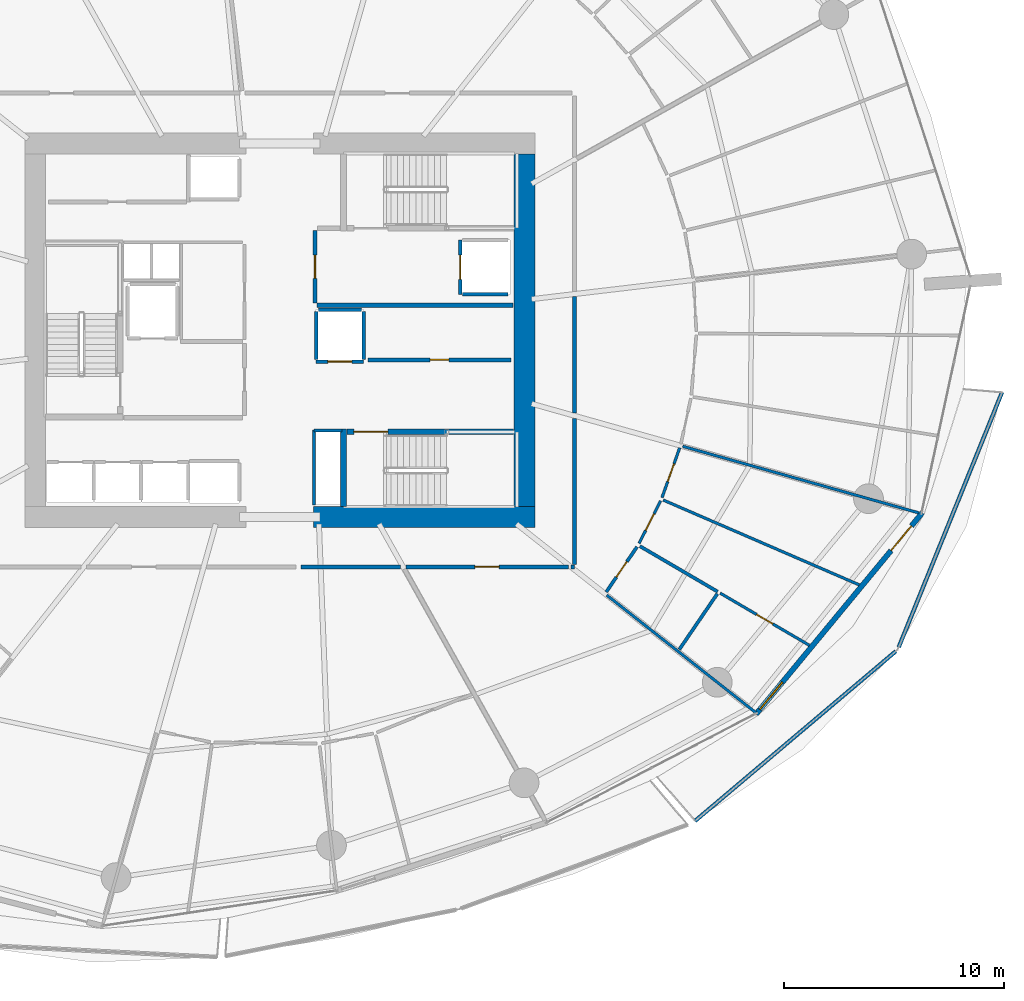
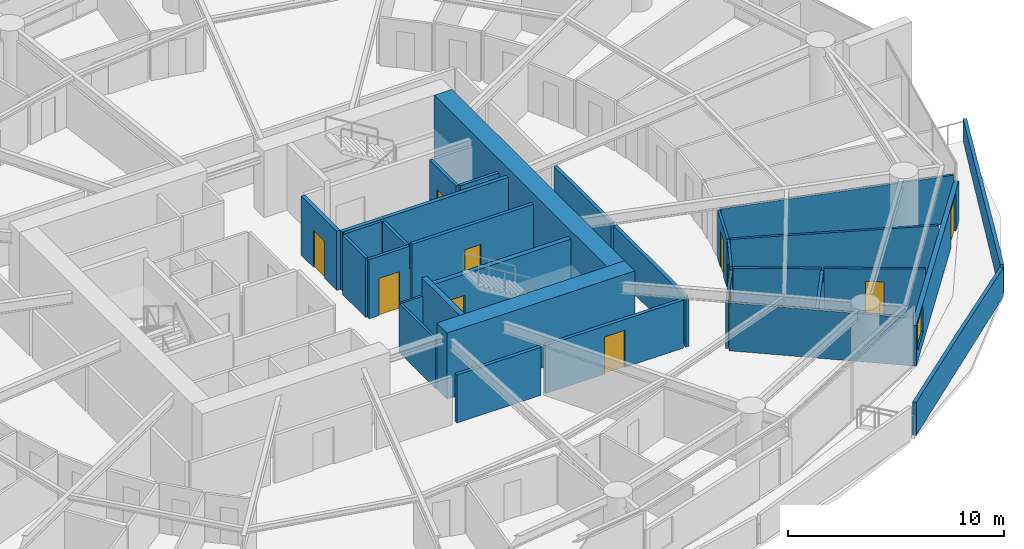
# One storey, part 21 of 31: 32 walls, 11 doors, 1 window, 12 openings.
"""IFC4 building model written with IfcOpenShell, lengths in metres."""

from ifc_helpers import new_model, si_unit, direction, frame, frame_2d, origin, place, context, subcontext, project, spatial, polyline, rectangle, outline, extrude, material, layer, layer_set, type_object, element, fill, save


model = new_model("IFC4")

# Units and contexts
model_context = context("Model", 3, precision=1e-05, world=origin(), true_north=direction((0.0, 1.0)))
body_context = subcontext(model_context, "Body", "Model", "MODEL_VIEW")
ifc_project = project(units=[si_unit("LENGTHUNIT", "METRE"), si_unit("AREAUNIT", "SQUARE_METRE"), si_unit("VOLUMEUNIT", "CUBIC_METRE"), si_unit("PLANEANGLEUNIT", "RADIAN"), si_unit("MASSUNIT", "GRAM", prefix="KILO")], contexts=[model_context])

# Site, building, storey
site_placement = place(None, origin())
site = spatial("IfcSite", under=ifc_project, at=site_placement, CompositionType="ELEMENT")
building_placement = place(site_placement, origin())
building = spatial("IfcBuilding", under=site, at=building_placement, Name="Kazma Halo Residences", CompositionType="ELEMENT")
storey_placement = place(building_placement, frame((0.0, 0.0, 67.64990234375)))
storey = spatial("IfcBuildingStorey", under=building, at=storey_placement, Name="L16", CompositionType="ELEMENT", Elevation=67.64990234375)

# Walls
ifc_material_1 = material(Name="White Concrete C50/60 Balustrade", Category="concrete")
ifc_layer_1 = layer(ifc_material_1, 0.179931640625)
ifc_layer_set_1 = layer_set([ifc_layer_1], Name="White Concrete C50/60 Balustrade")
wall_type_1 = type_object("IfcWallType", Name="WL-BAL-WAVE-180", PredefinedType="PARAPET", material=ifc_layer_set_1)
wall_1_placement = place(storey_placement, frame((67.266845703125, 19.718505859375, 0.0), z_axis=(0.0, 0.0, 1.0), x_axis=(0.763702211542, 0.645568688898, 0.0)))
element("IfcWall", 1, at=wall_1_placement, inside=storey, type_object=wall_type_1, Name="L16 white wave balustrade wall SE.1", PredefinedType="PARAPET", context=body_context, shape_type="SweptSolid", body=[
    extrude(outline(polyline([(0.0, 0.0), (11.9267578125, 0.0), (11.9267578125, 1.632080078125), (5.96337890625, 1.798095703125), (0.0, 1.860107421875), (0.0, 0.0)])), frame((0.0, 0.08984375, 0.0), z_axis=(0.0, -1.0, 0.0), x_axis=(1.0, 0.0, 0.0)), (0.0, 0.0, 1.0), 0.179931640625),
])
wall_2_placement = place(storey_placement, frame((76.511962890625, 27.606689453125, 0.0), z_axis=(0.0, 0.0, 1.0), x_axis=(0.375733690411, 0.926727680546, 0.0)))
element("IfcWall", 2, at=wall_2_placement, inside=storey, type_object=wall_type_1, Name="L16 white wave balustrade wall SE.2", PredefinedType="PARAPET", context=body_context, shape_type="SweptSolid", body=[
    extrude(outline(polyline([(0.0, 0.0), (12.4912109375, 0.0), (12.4912109375, 1.233154296875), (6.24560546875, 1.418212890625), (0.0, 1.632080078125), (0.0, 0.0)])), frame((0.0, 0.08984375, 0.0), z_axis=(0.0, -1.0, 0.0), x_axis=(1.0, 0.0, 0.0)), (0.0, 0.0, 1.0), 0.179931640625),
])
ifc_material_2 = material(Name="Concrete C80/95", Category="concrete")
ifc_layer_2 = layer(ifc_material_2, 0.949951171875)
ifc_layer_set_2 = layer_set([ifc_layer_2], Name="Concrete C80/95")
wall_type_2 = type_object("IfcWallType", Name="WL-CORE-950", PredefinedType="SHEAR", material=ifc_layer_set_2)
wall_3_placement = place(storey_placement, frame((49.949951171875, 33.52490234375, 0.0), z_axis=(0.0, 0.0, 1.0), x_axis=(1.0, 0.0, 0.0)))
element("IfcWall", 3, at=wall_3_placement, inside=storey, type_object=wall_type_2, Name="L16 central core shear wall SE", PredefinedType="SHEAR", context=body_context, shape_type="SweptSolid", body=[
    extrude(rectangle(XDim=10.050048828125, YDim=0.949951171875, at=frame_2d((5.02490234375, 0.0))), origin(), (0.0, 0.0, 1.0), 3.75),
])
wall_4_placement = place(storey_placement, frame((59.52490234375, 34.0, 0.0), z_axis=(0.0, 0.0, 1.0), x_axis=(0.0, 1.0, 0.0)))
element("IfcWall", 4, at=wall_4_placement, inside=storey, type_object=wall_type_2, Name="L16 central core shear wall E", PredefinedType="SHEAR", context=body_context, shape_type="SweptSolid", body=[
    extrude(rectangle(XDim=16.0, YDim=0.949951171875, at=frame_2d((8.0, 0.0))), origin(), (0.0, 0.0, 1.0), 3.75),
])
ifc_material_3 = material(Name="Concrete C60/75", Category="concrete")
ifc_layer_3 = layer(ifc_material_3, 0.280029296875)
ifc_layer_set_3 = layer_set([ifc_layer_3], Name="Concrete C60/75")
wall_type_3 = type_object("IfcWallType", Name="WL-CORE-ST-280", PredefinedType="SHEAR", material=ifc_layer_set_3)
wall_5_placement = place(storey_placement, frame((51.31005859375, 34.0, 0.0), z_axis=(0.0, 0.0, 1.0), x_axis=(0.0, 1.0, 0.0)))
element("IfcWall", 5, at=wall_5_placement, inside=storey, type_object=wall_type_3, Name="L16 stairwell bearing wall ST03-W", PredefinedType="SHEAR", context=body_context, shape_type="SweptSolid", body=[
    extrude(rectangle(XDim=3.5, YDim=0.280029296875, at=frame_2d((1.75, 0.0))), origin(), (0.0, 0.0, 1.0), 3.75),
])
ifc_material_4 = material(Name="Acoustic Twin-Stud Gypsum")
ifc_layer_4 = layer(ifc_material_4, 0.179931640625)
ifc_layer_set_4 = layer_set([ifc_layer_4], Name="Acoustic Twin-Stud Gypsum")
wall_type_4 = type_object("IfcWallType", Name="WL-DEM-180", PredefinedType="PARTITIONING", material=ifc_layer_set_4)
wall_6_placement = place(storey_placement, frame((49.392333984375, 31.25, 0.0), z_axis=(0.0, 0.0, 1.0), x_axis=(1.0, 0.0, 0.0)))
element("IfcWall", 6, at=wall_6_placement, inside=storey, type_object=wall_type_4, Name="L16 Apartment 2 inner wall 11", PredefinedType="PARTITIONING", context=body_context, shape_type="SweptSolid", body=[
    extrude(rectangle(XDim=4.508056640625, YDim=0.179931640625, at=frame_2d((2.25390625, 0.0))), origin(), (0.0, 0.0, 1.0), 2.717041015625),
])

# Wall, opening, door
wall_7_placement = place(storey_placement, frame((54.140380859375, 31.25, 0.0), z_axis=(0.0, 0.0, 1.0), x_axis=(1.0, 0.0, 0.0)))
wall_7 = element("IfcWall", 7, at=wall_7_placement, inside=storey, type_object=wall_type_4, Name="L16 Apartment 3 entrance corridor wall", PredefinedType="PARTITIONING", context=body_context, shape_type="SweptSolid", body=[
    extrude(rectangle(XDim=7.3759765625, YDim=0.179931640625, at=frame_2d((3.68798828125, 0.0))), origin(), (0.0, 0.0, 1.0), 2.717041015625),
])
opening_1_placement = place(wall_7_placement, frame((3.137939453125, 0.0, 0.0)))
opening_1 = element("IfcOpeningElement", 8, at=opening_1_placement, cuts=wall_7, Name="Opening DA-1100", PredefinedType="OPENING", context=body_context, shape_type="SweptSolid", body=[
    extrude(rectangle(XDim=1.10009765625, YDim=2.10009765625, at=frame_2d((0.550048828125, 1.050048828125))), frame((0.0, 0.099853515625, 0.0), z_axis=(0.0, -1.0, 0.0), x_axis=(1.0, 0.0, 0.0)), (0.0, 0.0, 1.0), 0.199951171875),
])
ifc_material_5 = material(Name="Acoustic Walnut Fire Leaf")
door_type_1 = type_object("IfcDoorType", Name="DR-FD60-1100", OperationType="NOTDEFINED", PredefinedType="DOOR", material=ifc_material_5)
door_1_placement = place(opening_1_placement, origin())
door_1 = element("IfcDoor", 9, at=door_1_placement, inside=storey, type_object=door_type_1, Name="L16 Apartment 3 entrance fire door", OperationType="SINGLE_SWING_RIGHT", OverallHeight=2.10009765625, OverallWidth=1.10009765625, PredefinedType="DOOR", context=body_context, shape_type="SweptSolid", body=[
    extrude(rectangle(XDim=1.10009765625, YDim=2.10009765625, at=frame_2d((0.550048828125, 1.050048828125))), frame((0.0, 0.02490234375, 0.0), z_axis=(0.0, -1.0, 0.0), x_axis=(1.0, 0.0, 0.0)), (0.0, 0.0, 1.0), 0.050048828125),
])
fill(opening_1, door_1)

# Walls
wall_8_placement = place(storey_placement, frame((61.63623046875, 31.25, 0.0), z_axis=(0.0, 0.0, 1.0), x_axis=(1.0, 0.0, 0.0)))
element("IfcWall", 10, at=wall_8_placement, inside=storey, type_object=wall_type_4, Name="L16 Apartment 3 inner wall 13", PredefinedType="PARTITIONING", context=body_context, shape_type="SweptSolid", body=[
    extrude(rectangle(XDim=0.163818359375, YDim=0.179931640625, at=frame_2d((0.08203125, 0.0))), origin(), (0.0, 0.0, 1.0), 2.717041015625),
])
wall_9_placement = place(storey_placement, frame((61.800048828125, 31.3701171875, 0.0), z_axis=(0.0, 0.0, 1.0), x_axis=(0.0, 1.0, 0.0)))
element("IfcWall", 11, at=wall_9_placement, inside=storey, type_object=wall_type_4, Name="L16 Apartment 3 inner wall 13", PredefinedType="PARTITIONING", context=body_context, shape_type="SweptSolid", body=[
    extrude(rectangle(XDim=6.617919921875, YDim=0.179931640625, at=frame_2d((3.30908203125, 0.0))), origin(), (0.0, 0.0, 1.0), 2.717041015625),
])
wall_10_placement = place(storey_placement, frame((61.800048828125, 38.22802734375, 0.0), z_axis=(0.0, 0.0, 1.0), x_axis=(0.0, 1.0, 0.0)))
element("IfcWall", 12, at=wall_10_placement, inside=storey, type_object=wall_type_4, Name="L16 Apartment 3 inner wall 14", PredefinedType="PARTITIONING", context=body_context, shape_type="SweptSolid", body=[
    extrude(rectangle(XDim=5.28515625, YDim=0.179931640625, at=frame_2d((2.642578125, 0.0))), origin(), (0.0, 0.0, 1.0), 2.717041015625),
])

# Wall, openings, door, window
ifc_material_6 = material(Name="Insulated Pale-Metal Composite Wall")
ifc_layer_5 = layer(ifc_material_6, 0.239990234375)
ifc_layer_set_5 = layer_set([ifc_layer_5], Name="Insulated Pale-Metal Composite Wall")
wall_type_5 = type_object("IfcWallType", Name="WL-EXT-HOST-240", PredefinedType="SOLIDWALL", material=ifc_layer_set_5)
wall_11_placement = place(storey_placement, frame((70.033203125, 24.566650390625, 0.0), z_axis=(0.0, 0.0, 1.0), x_axis=(0.636674332663, 0.771132799281, 0.0)))
wall_11 = element("IfcWall", 13, at=wall_11_placement, inside=storey, type_object=wall_type_5, Name="L16 exterior terrace-access wall B14", PredefinedType="SOLIDWALL", context=body_context, shape_type="SweptSolid", body=[
    extrude(rectangle(XDim=11.851318359375, YDim=0.239990234375, at=frame_2d((5.92578125, 0.0))), origin(), (0.0, 0.0, 1.0), 2.300048828125),
])
opening_2_placement = place(wall_11_placement, frame((9.631103515625, 0.0, 0.0)))
opening_2 = element("IfcOpeningElement", 14, at=opening_2_placement, cuts=wall_11, Name="Opening DTR-1600", PredefinedType="OPENING", context=body_context, shape_type="SweptSolid", body=[
    extrude(rectangle(XDim=1.449951171875, YDim=2.14990234375, at=frame_2d((0.72509765625, 1.074951171875))), frame((0.0, 0.1298828125, 0.0), z_axis=(0.0, -1.0, 0.0), x_axis=(1.0, 0.0, 0.0)), (0.0, 0.0, 1.0), 0.260009765625),
])
opening_3_placement = place(wall_11_placement, frame((0.280029296875, 0.0, 0.64990234375)))
opening_3 = element("IfcOpeningElement", 15, at=opening_3_placement, cuts=wall_11, Name="Opening W-1800", PredefinedType="OPENING", context=body_context, shape_type="SweptSolid", body=[
    extrude(rectangle(XDim=1.60009765625, YDim=1.5, at=frame_2d((0.800048828125, 0.75))), frame((0.0, 0.1298828125, 0.0), z_axis=(0.0, -1.0, 0.0), x_axis=(1.0, 0.0, 0.0)), (0.0, 0.0, 1.0), 0.260009765625),
])
ifc_material_7 = material(Name="Aluminium AW-6063 T6 Double-Glazed Terrace Door", Category="aluminium")
door_type_2 = type_object("IfcDoorType", Name="DR-EXT-TERR-1600", OperationType="NOTDEFINED", PredefinedType="DOOR", material=ifc_material_7)
door_2_placement = place(opening_2_placement, origin())
door_2 = element("IfcDoor", 16, at=door_2_placement, inside=storey, type_object=door_type_2, Name="L16 B14 balcony terrace door", OperationType="DOUBLE_DOOR_SLIDING", OverallHeight=2.14990234375, OverallWidth=1.449951171875, PredefinedType="DOOR", context=body_context, shape_type="SweptSolid", body=[
    extrude(rectangle(XDim=1.449951171875, YDim=2.14990234375, at=frame_2d((0.72509765625, 1.074951171875))), frame((0.0, 0.02490234375, 0.0), z_axis=(0.0, -1.0, 0.0), x_axis=(1.0, 0.0, 0.0)), (0.0, 0.0, 1.0), 0.050048828125),
])
fill(opening_2, door_2)
ifc_material_8 = material(Name="Clear Triple-Silver Low-E Glass in Aluminium AW-6063 T6 Frame", Category="aluminium")
window_type = type_object("IfcWindowType", Name="WIN-RES-1800", PartitioningType="DOUBLE_PANEL_VERTICAL", PredefinedType="WINDOW", material=ifc_material_8)
window_placement = place(opening_3_placement, origin())
window = element("IfcWindow", 17, at=window_placement, inside=storey, type_object=window_type, Name="L16 B14 apartment window", OverallHeight=1.5, OverallWidth=1.60009765625, PartitioningType="SINGLE_PANEL", PredefinedType="WINDOW", context=body_context, shape_type="SweptSolid", body=[
    extrude(rectangle(XDim=1.60009765625, YDim=1.5, at=frame_2d((0.800048828125, 0.75))), frame((0.0, 0.030029296875, 0.0), z_axis=(0.0, -1.0, 0.0), x_axis=(1.0, 0.0, 0.0)), (0.0, 0.0, 1.0), 0.06005859375),
])
fill(opening_3, window)

# Wall, opening, door
ifc_material_9 = material(Name="Fire-Rated Blockwork Masonry", Category="masonry")
ifc_layer_6 = layer(ifc_material_9, 0.199951171875)
ifc_layer_set_6 = layer_set([ifc_layer_6], Name="Fire-Rated Blockwork Masonry")
wall_type_6 = type_object("IfcWallType", Name="WL-FLB-200", PredefinedType="PARTITIONING", material=ifc_layer_set_6)
wall_12_placement = place(storey_placement, frame((56.6201171875, 46.080078125, 0.0), z_axis=(0.0, 0.0, 1.0), x_axis=(0.0, -1.0, 0.0)))
wall_12 = element("IfcWall", 18, at=wall_12_placement, inside=storey, type_object=wall_type_6, Name="L16 lift shaft FL-02 front wall", PredefinedType="PARTITIONING", context=body_context, shape_type="SweptSolid", body=[
    extrude(rectangle(XDim=2.4599609375, YDim=0.159912109375, at=frame_2d((1.22998046875, 0.0))), origin(), (0.0, 0.0, 1.0), 3.35009765625),
])
opening_4_placement = place(wall_12_placement, frame((0.679931640625, 0.0, 0.0)))
opening_4 = element("IfcOpeningElement", 19, at=opening_4_placement, cuts=wall_12, Name="Opening LD-FL-02", PredefinedType="OPENING", context=body_context, shape_type="SweptSolid", body=[
    extrude(rectangle(XDim=1.10009765625, YDim=2.10009765625, at=frame_2d((0.550048828125, 1.050048828125))), frame((0.0, 0.08984375, 0.0), z_axis=(0.0, -1.0, 0.0), x_axis=(1.0, 0.0, 0.0)), (0.0, 0.0, 1.0), 0.179931640625),
])
ifc_material_10 = material(Name="Stainless Steel Fire-Rated", Category="steel")
door_type_3 = type_object("IfcDoorType", Name="DR-LIFT-SLD-1100", OperationType="DOUBLE_DOOR_SLIDING", PredefinedType="DOOR", material=ifc_material_10)
door_3_placement = place(opening_4_placement, origin())
door_3 = element("IfcDoor", 20, at=door_3_placement, inside=storey, type_object=door_type_3, Name="L16 lift FL-02 sliding landing door", OperationType="DOUBLE_DOOR_SLIDING", OverallHeight=2.10009765625, OverallWidth=1.10009765625, PredefinedType="DOOR", context=body_context, shape_type="SweptSolid", body=[
    extrude(rectangle(XDim=1.10009765625, YDim=2.10009765625, at=frame_2d((0.550048828125, 1.050048828125))), frame((0.0, 0.02490234375, 0.0), z_axis=(0.0, -1.0, 0.0), x_axis=(1.0, 0.0, 0.0)), (0.0, 0.0, 1.0), 0.050048828125),
])
fill(opening_4, door_3)

# Wall
wall_13_placement = place(storey_placement, frame((56.719970703125, 43.6201171875, 0.0), z_axis=(0.0, 0.0, 1.0), x_axis=(1.0, 0.0, 0.0)))
element("IfcWall", 21, at=wall_13_placement, inside=storey, type_object=wall_type_6, Name="L16 lift shaft FL-02 side wall S", PredefinedType="PARTITIONING", context=body_context, shape_type="SweptSolid", body=[
    extrude(rectangle(XDim=2.06005859375, YDim=0.159912109375, at=frame_2d((1.030029296875, 0.0))), origin(), (0.0, 0.0, 1.0), 3.35009765625),
])

# Wall, opening, door
wall_14_placement = place(storey_placement, frame((52.22998046875, 40.570068359375, 0.0), z_axis=(0.0, 0.0, 1.0), x_axis=(-1.0, 0.0, 0.0)))
wall_14 = element("IfcWall", 22, at=wall_14_placement, inside=storey, type_object=wall_type_6, Name="L16 lift shaft SV-01 front wall", PredefinedType="PARTITIONING", context=body_context, shape_type="SweptSolid", body=[
    extrude(rectangle(XDim=2.159912109375, YDim=0.159912109375, at=frame_2d((1.080078125, 0.0))), origin(), (0.0, 0.0, 1.0), 3.35009765625),
])
opening_5_placement = place(wall_14_placement, frame((0.530029296875, 0.0, 0.0)))
opening_5 = element("IfcOpeningElement", 23, at=opening_5_placement, cuts=wall_14, Name="Opening LD-SV-01", PredefinedType="OPENING", context=body_context, shape_type="SweptSolid", body=[
    extrude(rectangle(XDim=1.10009765625, YDim=2.10009765625, at=frame_2d((0.550048828125, 1.050048828125))), frame((0.0, 0.08984375, 0.0), z_axis=(0.0, -1.0, 0.0), x_axis=(1.0, 0.0, 0.0)), (0.0, 0.0, 1.0), 0.179931640625),
])
door_4_placement = place(opening_5_placement, origin())
door_4 = element("IfcDoor", 24, at=door_4_placement, inside=storey, type_object=door_type_3, Name="L16 lift SV-01 sliding landing door", OperationType="DOUBLE_DOOR_SLIDING", OverallHeight=2.10009765625, OverallWidth=1.10009765625, PredefinedType="DOOR", context=body_context, shape_type="SweptSolid", body=[
    extrude(rectangle(XDim=1.10009765625, YDim=2.10009765625, at=frame_2d((0.550048828125, 1.050048828125))), frame((0.0, 0.02490234375, 0.0), z_axis=(0.0, -1.0, 0.0), x_axis=(1.0, 0.0, 0.0)), (0.0, 0.0, 1.0), 0.050048828125),
])
fill(opening_5, door_4)

# Walls
for number, where, z_axis, x_axis, name in (
    (25, (52.22998046875, 40.669921875, 0.0), (0.0, 0.0, 1.0), (0.0, 1.0, 0.0), "L16 lift shaft SV-01 side wall E"),
    (26, (50.070068359375, 40.669921875, 0.0), (0.0, 0.0, 1.0), (0.0, 1.0, 0.0), "L16 lift shaft SV-01 side wall W"),
):
    element("IfcWall", number, at=place(storey_placement, frame(where, z_axis=z_axis, x_axis=x_axis)), inside=storey, type_object=wall_type_6, Name=name, PredefinedType="PARTITIONING", context=body_context, shape_type="SweptSolid", body=[
        extrude(rectangle(XDim=2.16015625, YDim=0.159912109375, at=frame_2d((1.080078125, 0.0))), origin(), (0.0, 0.0, 1.0), 3.35009765625),
    ])
wall_15_placement = place(storey_placement, frame((50.169921875, 42.929931640625, 0.0), z_axis=(0.0, 0.0, 1.0), x_axis=(1.0, 0.0, 0.0)))
element("IfcWall", 27, at=wall_15_placement, inside=storey, type_object=wall_type_6, Name="L16 lift shaft SV-01 side wall N", PredefinedType="PARTITIONING", context=body_context, shape_type="SweptSolid", body=[
    extrude(rectangle(XDim=1.9599609375, YDim=0.159912109375, at=frame_2d((0.97998046875, 0.0))), origin(), (0.0, 0.0, 1.0), 3.35009765625),
])

# Wall, opening, door
wall_16_placement = place(storey_placement, frame((52.419921875, 40.64990234375, 0.0), z_axis=(0.0, 0.0, 1.0), x_axis=(1.0, 0.0, 0.0)))
wall_16 = element("IfcWall", 28, at=wall_16_placement, inside=storey, type_object=wall_type_6, Name="L16 core east reserve wall", PredefinedType="PARTITIONING", context=body_context, shape_type="SweptSolid", body=[
    extrude(rectangle(XDim=6.5, YDim=0.179931640625, at=frame_2d((3.25, 0.0))), origin(), (0.0, 0.0, 1.0), 3.35009765625),
])
opening_6_placement = place(wall_16_placement, frame((2.824951171875, 0.0, 0.0)))
opening_6 = element("IfcOpeningElement", 29, at=opening_6_placement, cuts=wall_16, Name="Opening DS-850", PredefinedType="OPENING", context=body_context, shape_type="SweptSolid", body=[
    extrude(rectangle(XDim=0.85009765625, YDim=2.06005859375, at=frame_2d((0.425048828125, 1.030029296875))), frame((0.0, 0.099853515625, 0.0), z_axis=(0.0, -1.0, 0.0), x_axis=(1.0, 0.0, 0.0)), (0.0, 0.0, 1.0), 0.199951171875),
])
ifc_material_11 = material(Name="Painted Steel Access Leaf", Category="steel")
door_type_4 = type_object("IfcDoorType", Name="DR-SVC-850", OperationType="NOTDEFINED", PredefinedType="DOOR", material=ifc_material_11)
door_5_placement = place(opening_6_placement, origin())
door_5 = element("IfcDoor", 30, at=door_5_placement, inside=storey, type_object=door_type_4, Name="L16 core east reserve door", OperationType="SINGLE_SWING_LEFT", OverallHeight=2.06005859375, OverallWidth=0.85009765625, PredefinedType="DOOR", context=body_context, shape_type="SweptSolid", body=[
    extrude(rectangle(XDim=0.85009765625, YDim=2.06005859375, at=frame_2d((0.425048828125, 1.030029296875))), frame((0.0, 0.02490234375, 0.0), z_axis=(0.0, -1.0, 0.0), x_axis=(1.0, 0.0, 0.0)), (0.0, 0.0, 1.0), 0.050048828125),
])
fill(opening_6, door_5)

# Wall
wall_17_placement = place(storey_placement, frame((50.1201171875, 43.1201171875, 0.0), z_axis=(0.0, 0.0, 1.0), x_axis=(1.0, 0.0, 0.0)))
element("IfcWall", 31, at=wall_17_placement, inside=storey, type_object=wall_type_6, Name="L16 east firefighting lobby south smoke wall", PredefinedType="PARTITIONING", context=body_context, shape_type="SweptSolid", body=[
    extrude(rectangle(XDim=8.8798828125, YDim=0.199951171875, at=frame_2d((4.43994140625, 0.0))), origin(), (0.0, 0.0, 1.0), 3.35009765625),
])

# Wall, opening, door
wall_18_placement = place(storey_placement, frame((50.02001953125, 43.219970703125, 0.0), z_axis=(0.0, 0.0, 1.0), x_axis=(0.0, 1.0, 0.0)))
wall_18 = element("IfcWall", 32, at=wall_18_placement, inside=storey, type_object=wall_type_6, Name="L16 east firefighting lobby smoke wall", PredefinedType="PARTITIONING", context=body_context, shape_type="SweptSolid", body=[
    extrude(rectangle(XDim=3.300048828125, YDim=0.199951171875, at=frame_2d((1.64990234375, 0.0))), origin(), (0.0, 0.0, 1.0), 3.35009765625),
])
opening_7_placement = place(wall_18_placement, frame((1.125, 0.0, 0.0)))
opening_7 = element("IfcOpeningElement", 33, at=opening_7_placement, cuts=wall_18, Name="Opening D-FLE", PredefinedType="OPENING", context=body_context, shape_type="SweptSolid", body=[
    extrude(rectangle(XDim=1.050048828125, YDim=2.10009765625, at=frame_2d((0.52490234375, 1.050048828125))), frame((0.0, 0.10986328125, 0.0), z_axis=(0.0, -1.0, 0.0), x_axis=(1.0, 0.0, 0.0)), (0.0, 0.0, 1.0), 0.219970703125),
])
ifc_material_12 = material(Name="Fire-Rated Steel Leaf", Category="steel")
door_type_5 = type_object("IfcDoorType", Name="DR-FD90-1050", OperationType="NOTDEFINED", PredefinedType="DOOR", material=ifc_material_12)
door_6_placement = place(opening_7_placement, origin())
door_6 = element("IfcDoor", 34, at=door_6_placement, inside=storey, type_object=door_type_5, Name="L16 east firefighting lobby smoke door", OperationType="SINGLE_SWING_RIGHT", OverallHeight=2.10009765625, OverallWidth=1.050048828125, PredefinedType="DOOR", context=body_context, shape_type="SweptSolid", body=[
    extrude(rectangle(XDim=1.050048828125, YDim=2.10009765625, at=frame_2d((0.52490234375, 1.050048828125))), frame((0.0, 0.02490234375, 0.0), z_axis=(0.0, -1.0, 0.0), x_axis=(1.0, 0.0, 0.0)), (0.0, 0.0, 1.0), 0.050048828125),
])
fill(opening_7, door_6)

# Walls
ifc_material_13 = material(Name="Gypsum Plasterboard Partition")
ifc_layer_7 = layer(ifc_material_13, 0.125)
ifc_layer_set_7 = layer_set([ifc_layer_7], Name="Gypsum Plasterboard Partition")
wall_type_7 = type_object("IfcWallType", Name="WL-PART-125", PredefinedType="PARTITIONING", material=ifc_layer_set_7)
wall_19_placement = place(storey_placement, frame((49.97998046875, 34.06005859375, 0.0), z_axis=(0.0, 0.0, 1.0), x_axis=(0.0, 1.0, 0.0)))
element("IfcWall", 35, at=wall_19_placement, inside=storey, type_object=wall_type_7, Name="L16 standpipe riser wall", PredefinedType="PARTITIONING", context=body_context, shape_type="SweptSolid", body=[
    extrude(rectangle(XDim=3.39990234375, YDim=0.125, at=frame_2d((1.699951171875, 0.0))), origin(), (0.0, 0.0, 1.0), 2.7900390625),
])
wall_20_placement = place(storey_placement, frame((49.97998046875, 37.43994140625, 0.0), z_axis=(0.0, 0.0, 1.0), x_axis=(1.0, 0.0, 0.0)))
element("IfcWall", 36, at=wall_20_placement, inside=storey, type_object=wall_type_7, Name="L16 standpipe riser north wall", PredefinedType="PARTITIONING", context=body_context, shape_type="SweptSolid", body=[
    extrude(rectangle(XDim=1.260009765625, YDim=0.125, at=frame_2d((0.6298828125, 0.0))), origin(), (0.0, 0.0, 1.0), 2.7900390625),
])
wall_21_placement = place(storey_placement, frame((63.260986328125, 29.96923828125, 0.0), z_axis=(0.0, 0.0, 1.0), x_axis=(0.78531804627, -0.619092534443, 0.0)))
element("IfcWall", 37, at=wall_21_placement, inside=storey, type_object=wall_type_7, Name="L16 Apartment 3 radial partition 13", PredefinedType="PARTITIONING", context=body_context, shape_type="SweptSolid", body=[
    extrude(rectangle(XDim=8.63916015625, YDim=0.125, at=frame_2d((4.319580078125, 0.0))), origin(), (0.0, 0.0, 1.0), 2.717041015625),
])

# Wall, opening, door
wall_22_placement = place(storey_placement, frame((68.406982421875, 30.060791015625, 0.0), z_axis=(0.0, 0.0, 1.0), x_axis=(0.863132370473, -0.504977733214, 0.0)))
wall_22 = element("IfcWall", 38, at=wall_22_placement, inside=storey, type_object=wall_type_7, Name="L16 Apartment 3 Household Store Room partition wall", PredefinedType="PARTITIONING", context=body_context, shape_type="SweptSolid", body=[
    extrude(rectangle(XDim=4.689208984375, YDim=0.125, at=frame_2d((2.3447265625, 0.0))), origin(), (0.0, 0.0, 1.0), 2.7900390625),
])
opening_8_placement = place(wall_22_placement, frame((1.91943359375, 0.0, 0.0)))
opening_8 = element("IfcOpeningElement", 39, at=opening_8_placement, cuts=wall_22, Name="Opening DB-900", PredefinedType="OPENING", context=body_context, shape_type="SweptSolid", body=[
    extrude(rectangle(XDim=0.85009765625, YDim=2.06005859375, at=frame_2d((0.425048828125, 1.030029296875))), frame((0.0, 0.072509765625, 0.0), z_axis=(0.0, -1.0, 0.0), x_axis=(1.0, 0.0, 0.0)), (0.0, 0.0, 1.0), 0.14501953125),
])
ifc_material_14 = material(Name="Moisture-Sealed Timber Leaf", Category="wood")
door_type_6 = type_object("IfcDoorType", Name="DR-BTH-900", OperationType="NOTDEFINED", PredefinedType="DOOR", material=ifc_material_14)
door_7_placement = place(opening_8_placement, origin())
door_7 = element("IfcDoor", 40, at=door_7_placement, inside=storey, type_object=door_type_6, Name="L16 Apartment 3 Household Store Room door", OperationType="SINGLE_SWING_LEFT", OverallHeight=2.06005859375, OverallWidth=0.85009765625, PredefinedType="DOOR", context=body_context, shape_type="SweptSolid", body=[
    extrude(rectangle(XDim=0.85009765625, YDim=2.06005859375, at=frame_2d((0.425048828125, 1.030029296875))), frame((0.0, 0.02490234375, 0.0), z_axis=(0.0, -1.0, 0.0), x_axis=(1.0, 0.0, 0.0)), (0.0, 0.0, 1.0), 0.050048828125),
])
fill(opening_8, door_7)

# Wall
wall_23_placement = place(storey_placement, frame((65.824951171875, 34.284912109375, 0.0), z_axis=(0.0, 0.0, 1.0), x_axis=(0.917721842762, -0.39722363892, 0.0)))
element("IfcWall", 41, at=wall_23_placement, inside=storey, type_object=wall_type_7, Name="L16 Apartment 3 suite divider 13", PredefinedType="PARTITIONING", context=body_context, shape_type="SweptSolid", body=[
    extrude(rectangle(XDim=9.6943359375, YDim=0.125, at=frame_2d((4.84716796875, 0.0))), origin(), (0.0, 0.0, 1.0), 2.7900390625),
])

# Wall, opening, door
wall_24_placement = place(storey_placement, frame((64.7275390625, 32.3173828125, 0.0), z_axis=(0.0, 0.0, 1.0), x_axis=(0.451897802863, 0.892069714634, 0.0)))
wall_24 = element("IfcWall", 42, at=wall_24_placement, inside=storey, type_object=wall_type_7, Name="L16 Apartment 3 Gourmet Kitchen hall wall", PredefinedType="PARTITIONING", context=body_context, shape_type="SweptSolid", body=[
    extrude(rectangle(XDim=2.165283203125, YDim=0.125, at=frame_2d((1.08251953125, 0.0))), origin(), (0.0, 0.0, 1.0), 2.7900390625),
])
opening_9_placement = place(wall_24_placement, frame((0.65771484375, 0.0, 0.0)))
opening_9 = element("IfcOpeningElement", 43, at=opening_9_placement, cuts=wall_24, Name="Opening DB-900", PredefinedType="OPENING", context=body_context, shape_type="SweptSolid", body=[
    extrude(rectangle(XDim=0.85009765625, YDim=2.06005859375, at=frame_2d((0.425048828125, 1.030029296875))), frame((0.0, 0.072509765625, 0.0), z_axis=(0.0, -1.0, 0.0), x_axis=(1.0, 0.0, 0.0)), (0.0, 0.0, 1.0), 0.14501953125),
])
door_8_placement = place(opening_9_placement, origin())
door_8 = element("IfcDoor", 44, at=door_8_placement, inside=storey, type_object=door_type_6, Name="L16 Apartment 3 Gourmet Kitchen door", OperationType="SINGLE_SWING_RIGHT", OverallHeight=2.06005859375, OverallWidth=0.85009765625, PredefinedType="DOOR", context=body_context, shape_type="SweptSolid", body=[
    extrude(rectangle(XDim=0.85009765625, YDim=2.06005859375, at=frame_2d((0.425048828125, 1.030029296875))), frame((0.0, 0.02490234375, 0.0), z_axis=(0.0, -1.0, 0.0), x_axis=(1.0, 0.0, 0.0)), (0.0, 0.0, 1.0), 0.050048828125),
])
fill(opening_9, door_8)

wall_25_placement = place(storey_placement, frame((65.76904296875, 34.39599609375, 0.0), z_axis=(0.0, 0.0, 1.0), x_axis=(0.335079884685, 0.942189721277, 0.0)))
wall_25 = element("IfcWall", 45, at=wall_25_placement, inside=storey, type_object=wall_type_7, Name="L16 Apartment 3 Primary Bedroom hall wall", PredefinedType="PARTITIONING", context=body_context, shape_type="SweptSolid", body=[
    extrude(rectangle(XDim=2.400634765625, YDim=0.125, at=frame_2d((1.2001953125, 0.0))), origin(), (0.0, 0.0, 1.0), 2.717041015625),
])
opening_10_placement = place(wall_25_placement, frame((0.775390625, 0.0, 0.0)))
opening_10 = element("IfcOpeningElement", 46, at=opening_10_placement, cuts=wall_25, Name="Opening DB-900", PredefinedType="OPENING", context=body_context, shape_type="SweptSolid", body=[
    extrude(rectangle(XDim=0.85009765625, YDim=2.06005859375, at=frame_2d((0.425048828125, 1.030029296875))), frame((0.0, 0.072509765625, 0.0), z_axis=(0.0, -1.0, 0.0), x_axis=(1.0, 0.0, 0.0)), (0.0, 0.0, 1.0), 0.14501953125),
])
door_9_placement = place(opening_10_placement, origin())
door_9 = element("IfcDoor", 47, at=door_9_placement, inside=storey, type_object=door_type_6, Name="L16 Apartment 3 Primary Bedroom door", OperationType="SINGLE_SWING_LEFT", OverallHeight=2.06005859375, OverallWidth=0.85009765625, PredefinedType="DOOR", context=body_context, shape_type="SweptSolid", body=[
    extrude(rectangle(XDim=0.85009765625, YDim=2.06005859375, at=frame_2d((0.425048828125, 1.030029296875))), frame((0.0, 0.02490234375, 0.0), z_axis=(0.0, -1.0, 0.0), x_axis=(1.0, 0.0, 0.0)), (0.0, 0.0, 1.0), 0.050048828125),
])
fill(opening_10, door_9)

# Wall
wall_26_placement = place(storey_placement, frame((66.703369140625, 36.72509765625, 0.0), z_axis=(0.0, 0.0, 1.0), x_axis=(0.962456868727, -0.271434662195, 0.0)))
element("IfcWall", 48, at=wall_26_placement, inside=storey, type_object=wall_type_7, Name="L16 Apartment 3 radial partition 14", PredefinedType="PARTITIONING", context=body_context, shape_type="SweptSolid", body=[
    extrude(rectangle(XDim=11.141357421875, YDim=0.125, at=frame_2d((5.57080078125, 0.0))), origin(), (0.0, 0.0, 1.0), 2.717041015625),
])

# Wall, opening, door
ifc_material_15 = material(Name="Concrete C50/60", Category="concrete")
ifc_layer_8 = layer(ifc_material_15, 0.25)
ifc_layer_set_8 = layer_set([ifc_layer_8], Name="Concrete C50/60")
wall_type_8 = type_object("IfcWallType", Name="WL-SHF-250", PredefinedType="SOLIDWALL", material=ifc_layer_set_8)
wall_27_placement = place(storey_placement, frame((51.47998046875, 37.3798828125, 0.0), z_axis=(0.0, 0.0, 1.0), x_axis=(1.0, 0.0, 0.0)))
wall_27 = element("IfcWall", 49, at=wall_27_placement, inside=storey, type_object=wall_type_8, Name="L16 exit stair ST-03 enclosure wall", PredefinedType="SOLIDWALL", context=body_context, shape_type="SweptSolid", body=[
    extrude(rectangle(XDim=7.5400390625, YDim=0.25, at=frame_2d((3.77001953125, 0.0))), origin(), (0.0, 0.0, 1.0), 3.35009765625),
])
opening_11_placement = place(wall_27_placement, frame((0.300048828125, 0.0, 0.0)))
opening_11 = element("IfcOpeningElement", 50, at=opening_11_placement, cuts=wall_27, Name="Opening D-ST3", PredefinedType="OPENING", context=body_context, shape_type="SweptSolid", body=[
    extrude(rectangle(XDim=1.550048828125, YDim=2.14990234375, at=frame_2d((0.77490234375, 1.074951171875))), frame((0.0, 0.135009765625, 0.0), z_axis=(0.0, -1.0, 0.0), x_axis=(1.0, 0.0, 0.0)), (0.0, 0.0, 1.0), 0.27001953125),
])
ifc_material_16 = material(Name="Fire-Rated Double Steel Leaf", Category="steel")
door_type_7 = type_object("IfcDoorType", Name="DR-FD90-1550", OperationType="NOTDEFINED", PredefinedType="DOOR", material=ifc_material_16)
door_10_placement = place(opening_11_placement, origin())
door_10 = element("IfcDoor", 51, at=door_10_placement, inside=storey, type_object=door_type_7, Name="L16 exit stair ST-03 fire door", OperationType="DOUBLE_DOOR_SINGLE_SWING", OverallHeight=2.14990234375, OverallWidth=1.550048828125, PredefinedType="DOOR", context=body_context, shape_type="SweptSolid", body=[
    extrude(rectangle(XDim=1.550048828125, YDim=2.14990234375, at=frame_2d((0.77490234375, 1.074951171875))), frame((0.0, 0.02490234375, 0.0), z_axis=(0.0, -1.0, 0.0), x_axis=(1.0, 0.0, 0.0)), (0.0, 0.0, 1.0), 0.050048828125),
])
fill(opening_11, door_10)

ifc_material_17 = material(Name="Moisture-Resistant Gypsum")
ifc_layer_9 = layer(ifc_material_17, 0.14990234375)
ifc_layer_set_9 = layer_set([ifc_layer_9], Name="Moisture-Resistant Gypsum")
wall_type_9 = type_object("IfcWallType", Name="WL-WET-150", PredefinedType="PARTITIONING", material=ifc_layer_set_9)
wall_28_placement = place(storey_placement, frame((63.23876953125, 30.11376953125, 0.0), z_axis=(0.0, 0.0, 1.0), x_axis=(0.563437614894, 0.826158613174, 0.0)))
wall_28 = element("IfcWall", 52, at=wall_28_placement, inside=storey, type_object=wall_type_9, Name="L16 Apartment 3 Guest Bathroom hall wall", PredefinedType="PARTITIONING", context=body_context, shape_type="SweptSolid", body=[
    extrude(rectangle(XDim=2.480224609375, YDim=0.14990234375, at=frame_2d((1.240234375, 0.0))), origin(), (0.0, 0.0, 1.0), 2.717041015625),
])
opening_12_placement = place(wall_28_placement, frame((0.815185546875, 0.0, 0.0)))
opening_12 = element("IfcOpeningElement", 53, at=opening_12_placement, cuts=wall_28, Name="Opening DB-900", PredefinedType="OPENING", context=body_context, shape_type="SweptSolid", body=[
    extrude(rectangle(XDim=0.85009765625, YDim=2.06005859375, at=frame_2d((0.425048828125, 1.030029296875))), frame((0.0, 0.0849609375, 0.0), z_axis=(0.0, -1.0, 0.0), x_axis=(1.0, 0.0, 0.0)), (0.0, 0.0, 1.0), 0.169921875),
])
door_11_placement = place(opening_12_placement, origin())
door_11 = element("IfcDoor", 54, at=door_11_placement, inside=storey, type_object=door_type_6, Name="L16 Apartment 3 Guest Bathroom door", OperationType="SINGLE_SWING_RIGHT", OverallHeight=2.06005859375, OverallWidth=0.85009765625, PredefinedType="DOOR", context=body_context, shape_type="SweptSolid", body=[
    extrude(rectangle(XDim=0.85009765625, YDim=2.06005859375, at=frame_2d((0.425048828125, 1.030029296875))), frame((0.0, 0.02490234375, 0.0), z_axis=(0.0, -1.0, 0.0), x_axis=(1.0, 0.0, 0.0)), (0.0, 0.0, 1.0), 0.050048828125),
])
fill(opening_12, door_11)

# Walls
wall_29_placement = place(storey_placement, frame((66.552978515625, 27.501220703125, 0.0), z_axis=(0.0, 0.0, 1.0), x_axis=(0.563388764178, 0.826191927095, 0.0)))
element("IfcWall", 55, at=wall_29_placement, inside=storey, type_object=wall_type_9, Name="L16 Apartment 3 Guest Bathroom back wall", PredefinedType="PARTITIONING", context=body_context, shape_type="SweptSolid", body=[
    extrude(rectangle(XDim=3.06298828125, YDim=0.14990234375, at=frame_2d((1.531494140625, 0.0))), origin(), (0.0, 0.0, 1.0), 2.717041015625),
])
wall_30_placement = place(storey_placement, frame((64.7646484375, 32.19189453125, 0.0), z_axis=(0.0, 0.0, 1.0), x_axis=(0.863128698129, -0.504984010109, 0.0)))
element("IfcWall", 56, at=wall_30_placement, inside=storey, type_object=wall_type_9, Name="L16 Apartment 3 Guest Bathroom side wall", PredefinedType="PARTITIONING", context=body_context, shape_type="SweptSolid", body=[
    extrude(rectangle(XDim=4.090087890625, YDim=0.14990234375, at=frame_2d((2.044921875, 0.0))), origin(), (0.0, 0.0, 1.0), 2.7900390625),
])

save(model, "model.ifc")
